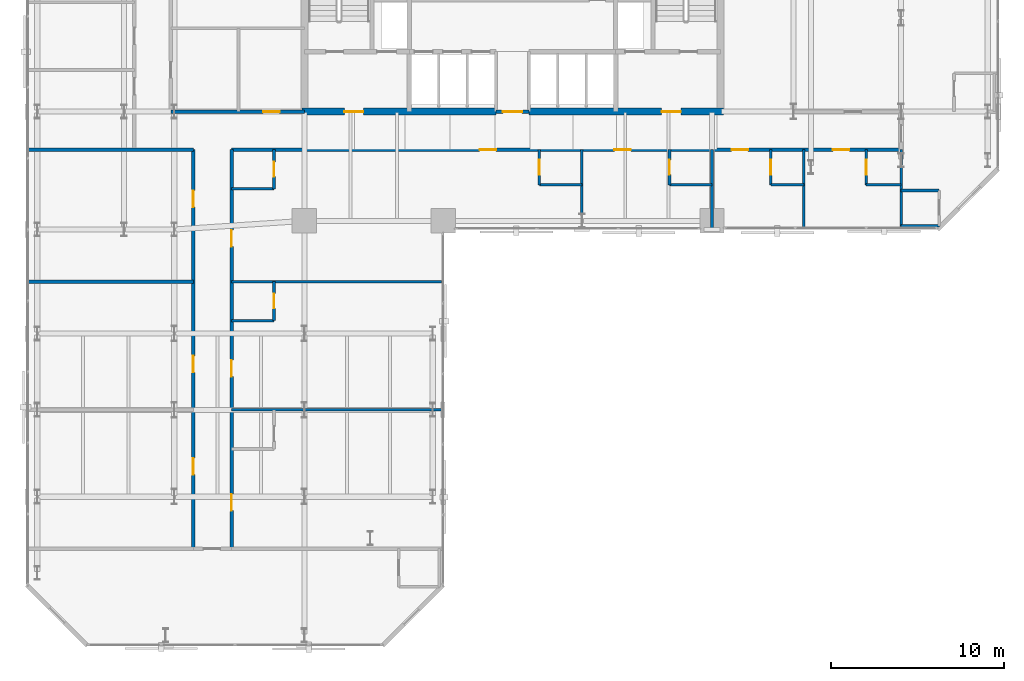
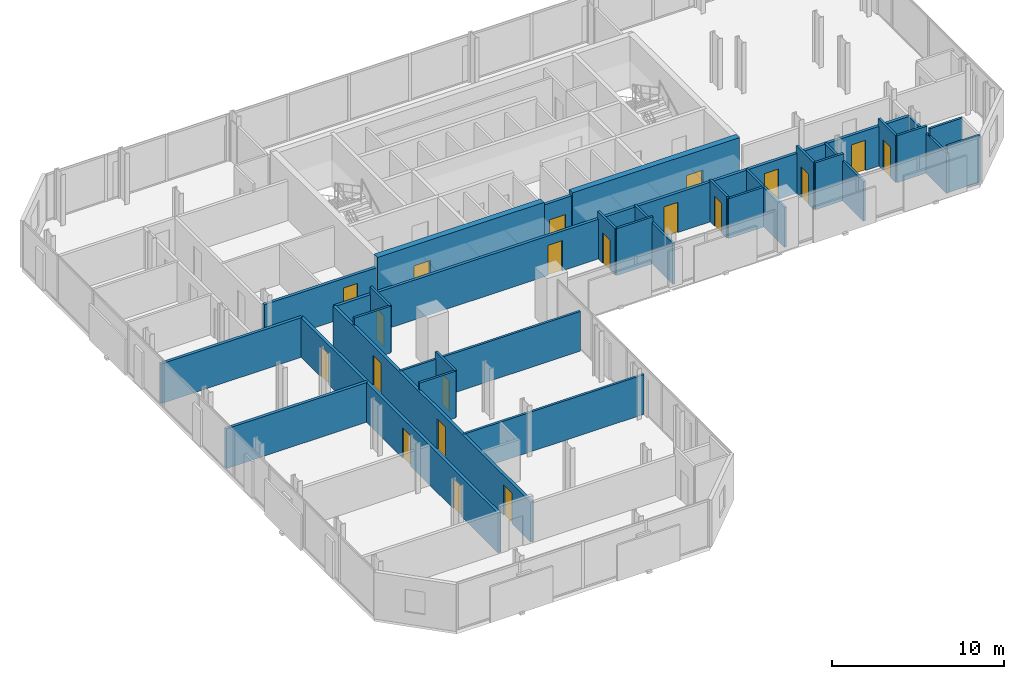
# One storey, part 28 of 32: 29 walls, 20 doors, 20 openings.
"""IFC4 building model written with IfcOpenShell, lengths in metres."""

from ifc_helpers import new_model, si_unit, direction, frame, frame_2d, origin, place, context, subcontext, project, spatial, rectangle, extrude, material, layer, layer_set, type_object, element, fill, save


model = new_model("IFC4")

# Units and contexts
model_context = context("Model", 3, precision=1e-05, world=origin(), true_north=direction((0.0, 1.0)))
body_context = subcontext(model_context, "Body", "Model", "MODEL_VIEW")
ifc_project = project(units=[si_unit("LENGTHUNIT", "METRE"), si_unit("AREAUNIT", "SQUARE_METRE"), si_unit("VOLUMEUNIT", "CUBIC_METRE"), si_unit("PLANEANGLEUNIT", "RADIAN"), si_unit("MASSUNIT", "GRAM", prefix="KILO")], contexts=[model_context])

# Site, building, storey
site_placement = place(None, origin())
site = spatial("IfcSite", under=ifc_project, at=site_placement, CompositionType="ELEMENT")
building_placement = place(site_placement, origin())
building = spatial("IfcBuilding", under=site, at=building_placement, Name="Catumbela Crestline Tower", CompositionType="ELEMENT")
storey_placement = place(building_placement, frame((0.0, 0.0, 61.8)))
storey = spatial("IfcBuildingStorey", under=building, at=storey_placement, Name="L15", CompositionType="ELEMENT", Elevation=61.8)

# Wall, opening, door
ifc_material_1 = material(Name="Concrete C60/75", Category="concrete")
ifc_layer_1 = layer(ifc_material_1, 0.4, Name="Concrete C60/75")
ifc_layer_set_1 = layer_set([ifc_layer_1], Name="Concrete C60/75")
wall_type_1 = type_object("IfcWallType", Name="CW-400A", PredefinedType="SHEAR", material=ifc_layer_set_1)
wall_1_placement = place(storey_placement, frame((15.85, 30.8, 0.0), z_axis=(0.0, 0.0, 1.0), x_axis=(1.0, 0.0, 0.0)))
wall_1 = element("IfcWall", 1, at=wall_1_placement, inside=storey, type_object=wall_type_1, Name="L15 Structural Core Shear Wall SW", PredefinedType="SHEAR", context=body_context, shape_type="SweptSolid", body=[
    extrude(rectangle(XDim=11.2, YDim=0.4, at=frame_2d((5.6, 0.0))), origin(), (0.0, 0.0, 1.0), 3.6),
])
opening_1_placement = place(wall_1_placement, frame((2.45, 0.0, 0.0)))
opening_1 = element("IfcOpeningElement", 2, at=opening_1_placement, cuts=wall_1, Name="Opening DF9-110", PredefinedType="OPENING", context=body_context, shape_type="SweptSolid", body=[
    extrude(rectangle(XDim=1.1, YDim=2.15, at=frame_2d((0.55, 1.075))), frame((0.0, 0.21, 0.0), z_axis=(0.0, -1.0, 0.0), x_axis=(1.0, 0.0, 0.0)), (0.0, 0.0, 1.0), 0.42),
])
ifc_material_2 = material(Name="Stainless steel EN 1.4401", Category="steel")
door_type_1 = type_object("IfcDoorType", Name="DF9-110", OperationType="NOTDEFINED", PredefinedType="DOOR", material=ifc_material_2)
door_1_placement = place(opening_1_placement, origin())
door_1 = element("IfcDoor", 3, at=door_1_placement, inside=storey, type_object=door_type_1, Name="L15 Interior Door DR-L15-FFW-S", OperationType="SINGLE_SWING_LEFT", OverallHeight=2.15, OverallWidth=1.1, PredefinedType="DOOR", context=body_context, shape_type="SweptSolid", body=[
    extrude(rectangle(XDim=1.1, YDim=2.15, at=frame_2d((0.55, 1.075))), frame((0.0, 0.025, 0.0), z_axis=(0.0, -1.0, 0.0), x_axis=(1.0, 0.0, 0.0)), (0.0, 0.0, 1.0), 0.05),
])
fill(opening_1, door_1)

wall_2_placement = place(storey_placement, frame((28.95, 30.8, 0.0), z_axis=(0.0, 0.0, 1.0), x_axis=(1.0, 0.0, 0.0)))
wall_2 = element("IfcWall", 4, at=wall_2_placement, inside=storey, type_object=wall_type_1, Name="L15 Structural Core Shear Wall SE", PredefinedType="SHEAR", context=body_context, shape_type="SweptSolid", body=[
    extrude(rectangle(XDim=11.2, YDim=0.4, at=frame_2d((5.6, 0.0))), origin(), (0.0, 0.0, 1.0), 3.6),
])
opening_2_placement = place(wall_2_placement, frame((7.65, 0.0, 0.0)))
opening_2 = element("IfcOpeningElement", 5, at=opening_2_placement, cuts=wall_2, Name="Opening DF9-110", PredefinedType="OPENING", context=body_context, shape_type="SweptSolid", body=[
    extrude(rectangle(XDim=1.1, YDim=2.15, at=frame_2d((0.55, 1.075))), frame((0.0, 0.21, 0.0), z_axis=(0.0, -1.0, 0.0), x_axis=(1.0, 0.0, 0.0)), (0.0, 0.0, 1.0), 0.42),
])
door_2_placement = place(opening_2_placement, origin())
door_2 = element("IfcDoor", 6, at=door_2_placement, inside=storey, type_object=door_type_1, Name="L15 Interior Door DR-L15-FFE-S", OperationType="SINGLE_SWING_RIGHT", OverallHeight=2.15, OverallWidth=1.1, PredefinedType="DOOR", context=body_context, shape_type="SweptSolid", body=[
    extrude(rectangle(XDim=1.1, YDim=2.15, at=frame_2d((0.55, 1.075))), frame((0.0, 0.025, 0.0), z_axis=(0.0, -1.0, 0.0), x_axis=(1.0, 0.0, 0.0)), (0.0, 0.0, 1.0), 0.05),
])
fill(opening_2, door_2)

ifc_material_3 = material(Name="Acoustic gypsum and mineral-wool partition")
ifc_layer_2 = layer(ifc_material_3, 0.2, Name="Acoustic gypsum and mineral-wool partition")
ifc_layer_set_2 = layer_set([ifc_layer_2], Name="Acoustic gypsum and mineral-wool partition")
wall_type_2 = type_object("IfcWallType", Name="WC-200", PredefinedType="PARTITIONING", material=ifc_layer_set_2)
wall_3_placement = place(storey_placement, frame((27.05, 30.8, 0.0), z_axis=(0.0, 0.0, 1.0), x_axis=(1.0, 0.0, 0.0)))
wall_3 = element("IfcWall", 7, at=wall_3_placement, inside=storey, type_object=wall_type_2, Name="L15 Interior Partition PW-L15-CLOBS", PredefinedType="PARTITIONING", context=body_context, shape_type="SweptSolid", body=[
    extrude(rectangle(XDim=1.9, YDim=0.2, at=frame_2d((0.95, 0.0))), origin(), (0.0, 0.0, 1.0), 3.33),
])
opening_3_placement = place(wall_3_placement, frame((0.4, 0.0, 0.0)))
opening_3 = element("IfcOpeningElement", 8, at=opening_3_placement, cuts=wall_3, Name="Opening DF9-110", PredefinedType="OPENING", context=body_context, shape_type="SweptSolid", body=[
    extrude(rectangle(XDim=1.1, YDim=2.15, at=frame_2d((0.55, 1.075))), frame((0.0, 0.11, 0.0), z_axis=(0.0, -1.0, 0.0), x_axis=(1.0, 0.0, 0.0)), (0.0, 0.0, 1.0), 0.22),
])
door_3_placement = place(opening_3_placement, origin())
door_3 = element("IfcDoor", 9, at=door_3_placement, inside=storey, type_object=door_type_1, Name="L15 Interior Door DR-L15-CLOBS", OperationType="SINGLE_SWING_LEFT", OverallHeight=2.15, OverallWidth=1.1, PredefinedType="DOOR", context=body_context, shape_type="SweptSolid", body=[
    extrude(rectangle(XDim=1.1, YDim=2.15, at=frame_2d((0.55, 1.075))), frame((0.0, 0.025, 0.0), z_axis=(0.0, -1.0, 0.0), x_axis=(1.0, 0.0, 0.0)), (0.0, 0.0, 1.0), 0.05),
])
fill(opening_3, door_3)

# Wall
wall_4_placement = place(storey_placement, frame((0.1, 28.6, 0.0), z_axis=(0.0, 0.0, 1.0), x_axis=(1.0, 0.0, 0.0)))
element("IfcWall", 10, at=wall_4_placement, inside=storey, type_object=wall_type_2, Name="L15 Interior Partition PW-L15-CWGL-N", PredefinedType="PARTITIONING", context=body_context, shape_type="SweptSolid", body=[
    extrude(rectangle(XDim=9.5, YDim=0.2, at=frame_2d((4.75, 0.0))), origin(), (0.0, 0.0, 1.0), 2.82),
])

# Wall, openings, doors
wall_5_placement = place(storey_placement, frame((11.8, 28.6, 0.0), z_axis=(0.0, 0.0, 1.0), x_axis=(1.0, 0.0, 0.0)))
wall_5 = element("IfcWall", 11, at=wall_5_placement, inside=storey, type_object=wall_type_2, Name="L15 Interior Partition PW-L15-CWGR-N", PredefinedType="PARTITIONING", context=body_context, shape_type="SweptSolid", body=[
    extrude(rectangle(XDim=38.6, YDim=0.2, at=frame_2d((19.3, 0.0))), origin(), (0.0, 0.0, 1.0), 2.82),
])
opening_4_placement = place(wall_5_placement, frame((14.3, 0.0, 0.0)))
opening_4 = element("IfcOpeningElement", 12, at=opening_4_placement, cuts=wall_5, Name="Opening DF6-095", PredefinedType="OPENING", context=body_context, shape_type="SweptSolid", body=[
    extrude(rectangle(XDim=0.95, YDim=2.15, at=frame_2d((0.475, 1.075))), frame((0.0, 0.11, 0.0), z_axis=(0.0, -1.0, 0.0), x_axis=(1.0, 0.0, 0.0)), (0.0, 0.0, 1.0), 0.22),
])
opening_5_placement = place(wall_5_placement, frame((22.075, 0.0, 0.0)))
opening_5 = element("IfcOpeningElement", 13, at=opening_5_placement, cuts=wall_5, Name="Opening DF6-095", PredefinedType="OPENING", context=body_context, shape_type="SweptSolid", body=[
    extrude(rectangle(XDim=0.95, YDim=2.15, at=frame_2d((0.475, 1.075))), frame((0.0, 0.11, 0.0), z_axis=(0.0, -1.0, 0.0), x_axis=(1.0, 0.0, 0.0)), (0.0, 0.0, 1.0), 0.22),
])
opening_6_placement = place(wall_5_placement, frame((28.8289, 0.0, 0.0)))
opening_6 = element("IfcOpeningElement", 14, at=opening_6_placement, cuts=wall_5, Name="Opening DF6-095", PredefinedType="OPENING", context=body_context, shape_type="SweptSolid", body=[
    extrude(rectangle(XDim=0.95, YDim=2.15, at=frame_2d((0.475, 1.075))), frame((0.0, 0.11, 0.0), z_axis=(0.0, -1.0, 0.0), x_axis=(1.0, 0.0, 0.0)), (0.0, 0.0, 1.0), 0.22),
])
opening_7_placement = place(wall_5_placement, frame((34.6691, 0.0, 0.0)))
opening_7 = element("IfcOpeningElement", 15, at=opening_7_placement, cuts=wall_5, Name="Opening DF6-095", PredefinedType="OPENING", context=body_context, shape_type="SweptSolid", body=[
    extrude(rectangle(XDim=0.95, YDim=2.15, at=frame_2d((0.475, 1.075))), frame((0.0, 0.11, 0.0), z_axis=(0.0, -1.0, 0.0), x_axis=(1.0, 0.0, 0.0)), (0.0, 0.0, 1.0), 0.22),
])
ifc_material_4 = material(Name="Aluminium alloy AW-6060-T66", Category="aluminium")
door_type_2 = type_object("IfcDoorType", Name="DF6-095", OperationType="NOTDEFINED", PredefinedType="DOOR", material=ifc_material_4)
door_4_placement = place(opening_4_placement, origin())
door_4 = element("IfcDoor", 16, at=door_4_placement, inside=storey, type_object=door_type_2, Name="L15 Interior Door DR-L15-K1-ENT", OperationType="SINGLE_SWING_LEFT", OverallHeight=2.15, OverallWidth=0.95, PredefinedType="DOOR", context=body_context, shape_type="SweptSolid", body=[
    extrude(rectangle(XDim=0.95, YDim=2.15, at=frame_2d((0.475, 1.075))), frame((0.0, 0.025, 0.0), z_axis=(0.0, -1.0, 0.0), x_axis=(1.0, 0.0, 0.0)), (0.0, 0.0, 1.0), 0.05),
])
fill(opening_4, door_4)
door_5_placement = place(opening_5_placement, origin())
door_5 = element("IfcDoor", 17, at=door_5_placement, inside=storey, type_object=door_type_2, Name="L15 Interior Door DR-L15-K2-ENT", OperationType="SINGLE_SWING_RIGHT", OverallHeight=2.15, OverallWidth=0.95, PredefinedType="DOOR", context=body_context, shape_type="SweptSolid", body=[
    extrude(rectangle(XDim=0.95, YDim=2.15, at=frame_2d((0.475, 1.075))), frame((0.0, 0.025, 0.0), z_axis=(0.0, -1.0, 0.0), x_axis=(1.0, 0.0, 0.0)), (0.0, 0.0, 1.0), 0.05),
])
fill(opening_5, door_5)
door_6_placement = place(opening_6_placement, origin())
door_6 = element("IfcDoor", 18, at=door_6_placement, inside=storey, type_object=door_type_2, Name="L15 Interior Door DR-L15-K3-ENT", OperationType="SINGLE_SWING_LEFT", OverallHeight=2.15, OverallWidth=0.95, PredefinedType="DOOR", context=body_context, shape_type="SweptSolid", body=[
    extrude(rectangle(XDim=0.95, YDim=2.15, at=frame_2d((0.475, 1.075))), frame((0.0, 0.025, 0.0), z_axis=(0.0, -1.0, 0.0), x_axis=(1.0, 0.0, 0.0)), (0.0, 0.0, 1.0), 0.05),
])
fill(opening_6, door_6)
door_7_placement = place(opening_7_placement, origin())
door_7 = element("IfcDoor", 19, at=door_7_placement, inside=storey, type_object=door_type_2, Name="L15 Interior Door DR-L15-K4-ENT", OperationType="SINGLE_SWING_RIGHT", OverallHeight=2.15, OverallWidth=0.95, PredefinedType="DOOR", context=body_context, shape_type="SweptSolid", body=[
    extrude(rectangle(XDim=0.95, YDim=2.15, at=frame_2d((0.475, 1.075))), frame((0.0, 0.025, 0.0), z_axis=(0.0, -1.0, 0.0), x_axis=(1.0, 0.0, 0.0)), (0.0, 0.0, 1.0), 0.05),
])
fill(opening_7, door_7)

# Wall, opening, door
wall_6_placement = place(storey_placement, frame((8.3, 30.8, 0.0), z_axis=(0.0, 0.0, 1.0), x_axis=(1.0, 0.0, 0.0)))
wall_6 = element("IfcWall", 20, at=wall_6_placement, inside=storey, type_object=wall_type_2, Name="L15 Interior Partition PW-L15-HK-S", PredefinedType="PARTITIONING", context=body_context, shape_type="SweptSolid", body=[
    extrude(rectangle(XDim=7.7, YDim=0.2, at=frame_2d((3.85, 0.0))), origin(), (0.0, 0.0, 1.0), 2.82),
])
opening_8_placement = place(wall_6_placement, frame((5.325, 0.0, 0.0)))
opening_8 = element("IfcOpeningElement", 21, at=opening_8_placement, cuts=wall_6, Name="Opening DF6-095", PredefinedType="OPENING", context=body_context, shape_type="SweptSolid", body=[
    extrude(rectangle(XDim=0.95, YDim=2.15, at=frame_2d((0.475, 1.075))), frame((0.0, 0.11, 0.0), z_axis=(0.0, -1.0, 0.0), x_axis=(1.0, 0.0, 0.0)), (0.0, 0.0, 1.0), 0.22),
])
door_8_placement = place(opening_8_placement, origin())
door_8 = element("IfcDoor", 22, at=door_8_placement, inside=storey, type_object=door_type_2, Name="L15 Interior Door DR-L15-HKP", OperationType="SINGLE_SWING_LEFT", OverallHeight=2.15, OverallWidth=0.95, PredefinedType="DOOR", context=body_context, shape_type="SweptSolid", body=[
    extrude(rectangle(XDim=0.95, YDim=2.15, at=frame_2d((0.475, 1.075))), frame((0.0, 0.025, 0.0), z_axis=(0.0, -1.0, 0.0), x_axis=(1.0, 0.0, 0.0)), (0.0, 0.0, 1.0), 0.05),
])
fill(opening_8, door_8)

# Wall, openings, doors
wall_7_placement = place(storey_placement, frame((9.6, 5.6, 0.0), z_axis=(0.0, 0.0, 1.0), x_axis=(0.0, 1.0, 0.0)))
wall_7 = element("IfcWall", 23, at=wall_7_placement, inside=storey, type_object=wall_type_2, Name="L15 Interior Partition PW-L15-WL1-ENT", PredefinedType="PARTITIONING", context=body_context, shape_type="SweptSolid", body=[
    extrude(rectangle(XDim=23.0, YDim=0.2, at=frame_2d((11.5, 0.0))), origin(), (0.0, 0.0, 1.0), 2.82),
])
opening_9_placement = place(wall_7_placement, frame((4.2703, 0.0, 0.0)))
opening_9 = element("IfcOpeningElement", 24, at=opening_9_placement, cuts=wall_7, Name="Opening DF6-095", PredefinedType="OPENING", context=body_context, shape_type="SweptSolid", body=[
    extrude(rectangle(XDim=0.95, YDim=2.15, at=frame_2d((0.475, 1.075))), frame((0.0, 0.11, 0.0), z_axis=(0.0, -1.0, 0.0), x_axis=(1.0, 0.0, 0.0)), (0.0, 0.0, 1.0), 0.22),
])
opening_10_placement = place(wall_7_placement, frame((10.1698, 0.0, 0.0)))
opening_10 = element("IfcOpeningElement", 25, at=opening_10_placement, cuts=wall_7, Name="Opening DF6-095", PredefinedType="OPENING", context=body_context, shape_type="SweptSolid", body=[
    extrude(rectangle(XDim=0.95, YDim=2.15, at=frame_2d((0.475, 1.075))), frame((0.0, 0.11, 0.0), z_axis=(0.0, -1.0, 0.0), x_axis=(1.0, 0.0, 0.0)), (0.0, 0.0, 1.0), 0.22),
])
opening_11_placement = place(wall_7_placement, frame((19.6931, 0.0, 0.0)))
opening_11 = element("IfcOpeningElement", 26, at=opening_11_placement, cuts=wall_7, Name="Opening DF6-095", PredefinedType="OPENING", context=body_context, shape_type="SweptSolid", body=[
    extrude(rectangle(XDim=0.95, YDim=2.15, at=frame_2d((0.475, 1.075))), frame((0.0, 0.11, 0.0), z_axis=(0.0, -1.0, 0.0), x_axis=(1.0, 0.0, 0.0)), (0.0, 0.0, 1.0), 0.22),
])
door_9_placement = place(opening_9_placement, origin())
door_9 = element("IfcDoor", 27, at=door_9_placement, inside=storey, type_object=door_type_2, Name="L15 Interior Door DR-L15-WL1-ENT", OperationType="SINGLE_SWING_RIGHT", OverallHeight=2.15, OverallWidth=0.95, PredefinedType="DOOR", context=body_context, shape_type="SweptSolid", body=[
    extrude(rectangle(XDim=0.95, YDim=2.15, at=frame_2d((0.475, 1.075))), frame((0.0, 0.025, 0.0), z_axis=(0.0, -1.0, 0.0), x_axis=(1.0, 0.0, 0.0)), (0.0, 0.0, 1.0), 0.05),
])
fill(opening_9, door_9)
door_10_placement = place(opening_10_placement, origin())
door_10 = element("IfcDoor", 28, at=door_10_placement, inside=storey, type_object=door_type_2, Name="L15 Interior Door DR-L15-WL2-ENT", OperationType="SINGLE_SWING_LEFT", OverallHeight=2.15, OverallWidth=0.95, PredefinedType="DOOR", context=body_context, shape_type="SweptSolid", body=[
    extrude(rectangle(XDim=0.95, YDim=2.15, at=frame_2d((0.475, 1.075))), frame((0.0, 0.025, 0.0), z_axis=(0.0, -1.0, 0.0), x_axis=(1.0, 0.0, 0.0)), (0.0, 0.0, 1.0), 0.05),
])
fill(opening_10, door_10)
door_11_placement = place(opening_11_placement, origin())
door_11 = element("IfcDoor", 29, at=door_11_placement, inside=storey, type_object=door_type_2, Name="L15 Interior Door DR-L15-WL3-ENT", OperationType="SINGLE_SWING_RIGHT", OverallHeight=2.15, OverallWidth=0.95, PredefinedType="DOOR", context=body_context, shape_type="SweptSolid", body=[
    extrude(rectangle(XDim=0.95, YDim=2.15, at=frame_2d((0.475, 1.075))), frame((0.0, 0.025, 0.0), z_axis=(0.0, -1.0, 0.0), x_axis=(1.0, 0.0, 0.0)), (0.0, 0.0, 1.0), 0.05),
])
fill(opening_11, door_11)

wall_8_placement = place(storey_placement, frame((11.8, 5.6, 0.0), z_axis=(0.0, 0.0, 1.0), x_axis=(0.0, 1.0, 0.0)))
wall_8 = element("IfcWall", 30, at=wall_8_placement, inside=storey, type_object=wall_type_2, Name="L15 Interior Partition PW-L15-WR1-ENT", PredefinedType="PARTITIONING", context=body_context, shape_type="SweptSolid", body=[
    extrude(rectangle(XDim=23.0, YDim=0.2, at=frame_2d((11.5, 0.0))), origin(), (0.0, 0.0, 1.0), 2.82),
])
opening_12_placement = place(wall_8_placement, frame((2.19, 0.0, 0.0)))
opening_12 = element("IfcOpeningElement", 31, at=opening_12_placement, cuts=wall_8, Name="Opening DF6-095", PredefinedType="OPENING", context=body_context, shape_type="SweptSolid", body=[
    extrude(rectangle(XDim=0.95, YDim=2.15, at=frame_2d((0.475, 1.075))), frame((0.0, 0.11, 0.0), z_axis=(0.0, -1.0, 0.0), x_axis=(1.0, 0.0, 0.0)), (0.0, 0.0, 1.0), 0.22),
])
opening_13_placement = place(wall_8_placement, frame((9.92, 0.0, 0.0)))
opening_13 = element("IfcOpeningElement", 32, at=opening_13_placement, cuts=wall_8, Name="Opening DF6-095", PredefinedType="OPENING", context=body_context, shape_type="SweptSolid", body=[
    extrude(rectangle(XDim=0.95, YDim=2.15, at=frame_2d((0.475, 1.075))), frame((0.0, 0.11, 0.0), z_axis=(0.0, -1.0, 0.0), x_axis=(1.0, 0.0, 0.0)), (0.0, 0.0, 1.0), 0.22),
])
opening_14_placement = place(wall_8_placement, frame((17.41, 0.0, 0.0)))
opening_14 = element("IfcOpeningElement", 33, at=opening_14_placement, cuts=wall_8, Name="Opening DF6-095", PredefinedType="OPENING", context=body_context, shape_type="SweptSolid", body=[
    extrude(rectangle(XDim=0.95, YDim=2.15, at=frame_2d((0.475, 1.075))), frame((0.0, 0.11, 0.0), z_axis=(0.0, -1.0, 0.0), x_axis=(1.0, 0.0, 0.0)), (0.0, 0.0, 1.0), 0.22),
])
door_12_placement = place(opening_12_placement, origin())
door_12 = element("IfcDoor", 34, at=door_12_placement, inside=storey, type_object=door_type_2, Name="L15 Interior Door DR-L15-WR1-ENT", OperationType="SINGLE_SWING_LEFT", OverallHeight=2.15, OverallWidth=0.95, PredefinedType="DOOR", context=body_context, shape_type="SweptSolid", body=[
    extrude(rectangle(XDim=0.95, YDim=2.15, at=frame_2d((0.475, 1.075))), frame((0.0, 0.025, 0.0), z_axis=(0.0, -1.0, 0.0), x_axis=(1.0, 0.0, 0.0)), (0.0, 0.0, 1.0), 0.05),
])
fill(opening_12, door_12)
door_13_placement = place(opening_13_placement, origin())
door_13 = element("IfcDoor", 35, at=door_13_placement, inside=storey, type_object=door_type_2, Name="L15 Interior Door DR-L15-WR2-ENT", OperationType="SINGLE_SWING_RIGHT", OverallHeight=2.15, OverallWidth=0.95, PredefinedType="DOOR", context=body_context, shape_type="SweptSolid", body=[
    extrude(rectangle(XDim=0.95, YDim=2.15, at=frame_2d((0.475, 1.075))), frame((0.0, 0.025, 0.0), z_axis=(0.0, -1.0, 0.0), x_axis=(1.0, 0.0, 0.0)), (0.0, 0.0, 1.0), 0.05),
])
fill(opening_13, door_13)
door_14_placement = place(opening_14_placement, origin())
door_14 = element("IfcDoor", 36, at=door_14_placement, inside=storey, type_object=door_type_2, Name="L15 Interior Door DR-L15-WR3-ENT", OperationType="SINGLE_SWING_LEFT", OverallHeight=2.15, OverallWidth=0.95, PredefinedType="DOOR", context=body_context, shape_type="SweptSolid", body=[
    extrude(rectangle(XDim=0.95, YDim=2.15, at=frame_2d((0.475, 1.075))), frame((0.0, 0.025, 0.0), z_axis=(0.0, -1.0, 0.0), x_axis=(1.0, 0.0, 0.0)), (0.0, 0.0, 1.0), 0.05),
])
fill(opening_14, door_14)

# Wall
ifc_layer_3 = layer(ifc_material_3, 0.15, Name="Acoustic gypsum and mineral-wool partition")
ifc_layer_set_3 = layer_set([ifc_layer_3], Name="Acoustic gypsum and mineral-wool partition")
wall_type_3 = type_object("IfcWallType", Name="WP-150", PredefinedType="PARTITIONING", material=ifc_layer_set_3)
wall_9_placement = place(storey_placement, frame((29.55, 26.576, 0.0), z_axis=(0.0, 0.0, 1.0), x_axis=(1.0, 0.0, 0.0)))
element("IfcWall", 37, at=wall_9_placement, inside=storey, type_object=wall_type_3, Name="L15 Interior Partition PW-L15-K1-BHW", PredefinedType="PARTITIONING", context=body_context, shape_type="SweptSolid", body=[
    extrude(rectangle(XDim=2.45, YDim=0.15, at=frame_2d((1.225, 0.0))), origin(), (0.0, 0.0, 1.0), 3.33),
])

# Wall, opening, door
wall_10_placement = place(storey_placement, frame((29.55, 26.576, 0.0), z_axis=(0.0, 0.0, 1.0), x_axis=(0.0, 1.0, 0.0)))
wall_10 = element("IfcWall", 38, at=wall_10_placement, inside=storey, type_object=wall_type_3, Name="L15 Interior Partition PW-L15-K1-BWW", PredefinedType="PARTITIONING", context=body_context, shape_type="SweptSolid", body=[
    extrude(rectangle(XDim=2.024, YDim=0.15, at=frame_2d((1.012, 0.0))), origin(), (0.0, 0.0, 1.0), 3.33),
])
opening_15_placement = place(wall_10_placement, frame((0.587, 0.0, 0.0)))
opening_15 = element("IfcOpeningElement", 39, at=opening_15_placement, cuts=wall_10, Name="Opening DI-085", PredefinedType="OPENING", context=body_context, shape_type="SweptSolid", body=[
    extrude(rectangle(XDim=0.85, YDim=2.15, at=frame_2d((0.425, 1.075))), frame((0.0, 0.085, 0.0), z_axis=(0.0, -1.0, 0.0), x_axis=(1.0, 0.0, 0.0)), (0.0, 0.0, 1.0), 0.17),
])
door_type_3 = type_object("IfcDoorType", Name="DI-085", OperationType="NOTDEFINED", PredefinedType="DOOR", material=ifc_material_4)
door_15_placement = place(opening_15_placement, origin())
door_15 = element("IfcDoor", 40, at=door_15_placement, inside=storey, type_object=door_type_3, Name="L15 Interior Door DR-L15-K1-BTH", OperationType="SINGLE_SWING_RIGHT", OverallHeight=2.15, OverallWidth=0.85, PredefinedType="DOOR", context=body_context, shape_type="SweptSolid", body=[
    extrude(rectangle(XDim=0.85, YDim=2.15, at=frame_2d((0.425, 1.075))), frame((0.0, 0.025, 0.0), z_axis=(0.0, -1.0, 0.0), x_axis=(1.0, 0.0, 0.0)), (0.0, 0.0, 1.0), 0.05),
])
fill(opening_15, door_15)

# Walls
wall_11_placement = place(storey_placement, frame((32.0, 28.6, 0.0), z_axis=(0.0, 0.0, 1.0), x_axis=(0.0, -1.0, 0.0)))
element("IfcWall", 41, at=wall_11_placement, inside=storey, type_object=wall_type_3, Name="L15 Interior Partition PW-L15-K1-BCL-2", PredefinedType="PARTITIONING", context=body_context, shape_type="SweptSolid", body=[
    extrude(rectangle(XDim=4.5, YDim=0.15, at=frame_2d((2.25, 0.0))), origin(), (0.0, 0.0, 1.0), 2.93),
])
wall_12_placement = place(storey_placement, frame((37.05, 26.576, 0.0), z_axis=(0.0, 0.0, 1.0), x_axis=(1.0, 0.0, 0.0)))
element("IfcWall", 42, at=wall_12_placement, inside=storey, type_object=wall_type_3, Name="L15 Interior Partition PW-L15-K2-BHW", PredefinedType="PARTITIONING", context=body_context, shape_type="SweptSolid", body=[
    extrude(rectangle(XDim=2.45, YDim=0.15, at=frame_2d((1.225, 0.0))), origin(), (0.0, 0.0, 1.0), 2.82),
])

# Wall, opening, door
wall_13_placement = place(storey_placement, frame((37.05, 26.576, 0.0), z_axis=(0.0, 0.0, 1.0), x_axis=(0.0, 1.0, 0.0)))
wall_13 = element("IfcWall", 43, at=wall_13_placement, inside=storey, type_object=wall_type_3, Name="L15 Interior Partition PW-L15-K2-BWW", PredefinedType="PARTITIONING", context=body_context, shape_type="SweptSolid", body=[
    extrude(rectangle(XDim=2.024, YDim=0.15, at=frame_2d((1.012, 0.0))), origin(), (0.0, 0.0, 1.0), 2.96),
])
opening_16_placement = place(wall_13_placement, frame((0.587, 0.0, 0.0)))
opening_16 = element("IfcOpeningElement", 44, at=opening_16_placement, cuts=wall_13, Name="Opening DI-085", PredefinedType="OPENING", context=body_context, shape_type="SweptSolid", body=[
    extrude(rectangle(XDim=0.85, YDim=2.15, at=frame_2d((0.425, 1.075))), frame((0.0, 0.085, 0.0), z_axis=(0.0, -1.0, 0.0), x_axis=(1.0, 0.0, 0.0)), (0.0, 0.0, 1.0), 0.17),
])
door_16_placement = place(opening_16_placement, origin())
door_16 = element("IfcDoor", 45, at=door_16_placement, inside=storey, type_object=door_type_3, Name="L15 Interior Door DR-L15-K2-BTH", OperationType="SINGLE_SWING_RIGHT", OverallHeight=2.15, OverallWidth=0.85, PredefinedType="DOOR", context=body_context, shape_type="SweptSolid", body=[
    extrude(rectangle(XDim=0.85, YDim=2.15, at=frame_2d((0.425, 1.075))), frame((0.0, 0.025, 0.0), z_axis=(0.0, -1.0, 0.0), x_axis=(1.0, 0.0, 0.0)), (0.0, 0.0, 1.0), 0.05),
])
fill(opening_16, door_16)

# Walls
wall_14_placement = place(storey_placement, frame((39.5, 28.6, 0.0), z_axis=(0.0, 0.0, 1.0), x_axis=(0.0, -1.0, 0.0)))
element("IfcWall", 46, at=wall_14_placement, inside=storey, type_object=wall_type_3, Name="L15 Interior Partition PW-L15-K2-BCL-2", PredefinedType="PARTITIONING", context=body_context, shape_type="SweptSolid", body=[
    extrude(rectangle(XDim=4.5, YDim=0.15, at=frame_2d((2.25, 0.0))), origin(), (0.0, 0.0, 1.0), 2.82),
])
wall_15_placement = place(storey_placement, frame((42.892, 26.576, 0.0), z_axis=(0.0, 0.0, 1.0), x_axis=(1.0, 0.0, 0.0)))
element("IfcWall", 47, at=wall_15_placement, inside=storey, type_object=wall_type_3, Name="L15 Interior Partition PW-L15-K3-BHW", PredefinedType="PARTITIONING", context=body_context, shape_type="SweptSolid", body=[
    extrude(rectangle(XDim=1.908, YDim=0.15, at=frame_2d((0.954, 0.0))), origin(), (0.0, 0.0, 1.0), 3.33),
])

# Wall, opening, door
wall_16_placement = place(storey_placement, frame((42.892, 26.576, 0.0), z_axis=(0.0, 0.0, 1.0), x_axis=(0.0, 1.0, 0.0)))
wall_16 = element("IfcWall", 48, at=wall_16_placement, inside=storey, type_object=wall_type_3, Name="L15 Interior Partition PW-L15-K3-BWW", PredefinedType="PARTITIONING", context=body_context, shape_type="SweptSolid", body=[
    extrude(rectangle(XDim=2.024, YDim=0.15, at=frame_2d((1.012, 0.0))), origin(), (0.0, 0.0, 1.0), 3.33),
])
opening_17_placement = place(wall_16_placement, frame((0.587, 0.0, 0.0)))
opening_17 = element("IfcOpeningElement", 49, at=opening_17_placement, cuts=wall_16, Name="Opening DI-085", PredefinedType="OPENING", context=body_context, shape_type="SweptSolid", body=[
    extrude(rectangle(XDim=0.85, YDim=2.15, at=frame_2d((0.425, 1.075))), frame((0.0, 0.085, 0.0), z_axis=(0.0, -1.0, 0.0), x_axis=(1.0, 0.0, 0.0)), (0.0, 0.0, 1.0), 0.17),
])
door_17_placement = place(opening_17_placement, origin())
door_17 = element("IfcDoor", 50, at=door_17_placement, inside=storey, type_object=door_type_3, Name="L15 Interior Door DR-L15-K3-BTH", OperationType="SINGLE_SWING_RIGHT", OverallHeight=2.15, OverallWidth=0.85, PredefinedType="DOOR", context=body_context, shape_type="SweptSolid", body=[
    extrude(rectangle(XDim=0.85, YDim=2.15, at=frame_2d((0.425, 1.075))), frame((0.0, 0.025, 0.0), z_axis=(0.0, -1.0, 0.0), x_axis=(1.0, 0.0, 0.0)), (0.0, 0.0, 1.0), 0.05),
])
fill(opening_17, door_17)

# Walls
wall_17_placement = place(storey_placement, frame((44.8, 28.6, 0.0), z_axis=(0.0, 0.0, 1.0), x_axis=(0.0, -1.0, 0.0)))
element("IfcWall", 51, at=wall_17_placement, inside=storey, type_object=wall_type_3, Name="L15 Interior Partition PW-L15-K3-BCL-2", PredefinedType="PARTITIONING", context=body_context, shape_type="SweptSolid", body=[
    extrude(rectangle(XDim=4.5, YDim=0.15, at=frame_2d((2.25, 0.0))), origin(), (0.0, 0.0, 1.0), 2.82),
])
wall_18_placement = place(storey_placement, frame((48.384, 26.576, 0.0), z_axis=(0.0, 0.0, 1.0), x_axis=(1.0, 0.0, 0.0)))
element("IfcWall", 52, at=wall_18_placement, inside=storey, type_object=wall_type_3, Name="L15 Interior Partition PW-L15-K4-BHW", PredefinedType="PARTITIONING", context=body_context, shape_type="SweptSolid", body=[
    extrude(rectangle(XDim=2.016, YDim=0.15, at=frame_2d((1.008, 0.0))), origin(), (0.0, 0.0, 1.0), 3.33),
])

# Wall, opening, door
wall_19_placement = place(storey_placement, frame((48.384, 26.576, 0.0), z_axis=(0.0, 0.0, 1.0), x_axis=(0.0, 1.0, 0.0)))
wall_19 = element("IfcWall", 53, at=wall_19_placement, inside=storey, type_object=wall_type_3, Name="L15 Interior Partition PW-L15-K4-BWW", PredefinedType="PARTITIONING", context=body_context, shape_type="SweptSolid", body=[
    extrude(rectangle(XDim=2.024, YDim=0.15, at=frame_2d((1.012, 0.0))), origin(), (0.0, 0.0, 1.0), 3.33),
])
opening_18_placement = place(wall_19_placement, frame((0.587, 0.0, 0.0)))
opening_18 = element("IfcOpeningElement", 54, at=opening_18_placement, cuts=wall_19, Name="Opening DI-085", PredefinedType="OPENING", context=body_context, shape_type="SweptSolid", body=[
    extrude(rectangle(XDim=0.85, YDim=2.15, at=frame_2d((0.425, 1.075))), frame((0.0, 0.085, 0.0), z_axis=(0.0, -1.0, 0.0), x_axis=(1.0, 0.0, 0.0)), (0.0, 0.0, 1.0), 0.17),
])
door_18_placement = place(opening_18_placement, origin())
door_18 = element("IfcDoor", 55, at=door_18_placement, inside=storey, type_object=door_type_3, Name="L15 Interior Door DR-L15-K4-BTH", OperationType="SINGLE_SWING_RIGHT", OverallHeight=2.15, OverallWidth=0.85, PredefinedType="DOOR", context=body_context, shape_type="SweptSolid", body=[
    extrude(rectangle(XDim=0.85, YDim=2.15, at=frame_2d((0.425, 1.075))), frame((0.0, 0.025, 0.0), z_axis=(0.0, -1.0, 0.0), x_axis=(1.0, 0.0, 0.0)), (0.0, 0.0, 1.0), 0.05),
])
fill(opening_18, door_18)

# Walls
wall_20_placement = place(storey_placement, frame((50.4, 28.6, 0.0), z_axis=(0.0, 0.0, 1.0), x_axis=(0.0, -1.0, 0.0)))
element("IfcWall", 56, at=wall_20_placement, inside=storey, type_object=wall_type_3, Name="L15 Interior Partition PW-L15-K4-BCL-2", PredefinedType="PARTITIONING", context=body_context, shape_type="SweptSolid", body=[
    extrude(rectangle(XDim=4.5, YDim=0.15, at=frame_2d((2.25, 0.0))), origin(), (0.0, 0.0, 1.0), 2.82),
])
wall_21_placement = place(storey_placement, frame((50.4, 26.25, 0.0), z_axis=(0.0, 0.0, 1.0), x_axis=(1.0, 0.0, 0.0)))
element("IfcWall", 57, at=wall_21_placement, inside=storey, type_object=wall_type_3, Name="L15 Interior Partition PW-L15-NESE-BNW", PredefinedType="PARTITIONING", context=body_context, shape_type="SweptSolid", body=[
    extrude(rectangle(XDim=2.2, YDim=0.15, at=frame_2d((1.1, 0.0))), origin(), (0.0, 0.0, 1.0), 3.33),
])
wall_22_placement = place(storey_placement, frame((52.62, 24.22, 0.0), z_axis=(0.0, 0.0, 1.0), x_axis=(-1.0, 0.0, 0.0)))
element("IfcWall", 58, at=wall_22_placement, inside=storey, type_object=wall_type_3, Name="L15 Interior Partition PW-L15-NESE-BCL-3", PredefinedType="PARTITIONING", context=body_context, shape_type="SweptSolid", body=[
    extrude(rectangle(XDim=2.22, YDim=0.15, at=frame_2d((1.11, 0.0))), origin(), (0.0, 0.0, 1.0), 3.33),
])
wall_23_placement = place(storey_placement, frame((11.8, 13.6, 0.0), z_axis=(0.0, 0.0, 1.0), x_axis=(1.0, 0.0, 0.0)))
element("IfcWall", 59, at=wall_23_placement, inside=storey, type_object=wall_type_3, Name="L15 Interior Partition PW-L15-WR1-BCL-1", PredefinedType="PARTITIONING", context=body_context, shape_type="SweptSolid", body=[
    extrude(rectangle(XDim=12.1, YDim=0.15, at=frame_2d((6.05, 0.0))), origin(), (0.0, 0.0, 1.0), 2.82),
])
wall_24_placement = place(storey_placement, frame((11.8, 18.75, 0.0), z_axis=(0.0, 0.0, 1.0), x_axis=(1.0, 0.0, 0.0)))
element("IfcWall", 60, at=wall_24_placement, inside=storey, type_object=wall_type_3, Name="L15 Interior Partition PW-L15-WR2-BSW", PredefinedType="PARTITIONING", context=body_context, shape_type="SweptSolid", body=[
    extrude(rectangle(XDim=2.45, YDim=0.15, at=frame_2d((1.225, 0.0))), origin(), (0.0, 0.0, 1.0), 3.33),
])

# Wall, opening, door
wall_25_placement = place(storey_placement, frame((14.25, 18.75, 0.0), z_axis=(0.0, 0.0, 1.0), x_axis=(0.0, 1.0, 0.0)))
wall_25 = element("IfcWall", 61, at=wall_25_placement, inside=storey, type_object=wall_type_3, Name="L15 Interior Partition PW-L15-WR2-BEW", PredefinedType="PARTITIONING", context=body_context, shape_type="SweptSolid", body=[
    extrude(rectangle(XDim=2.25, YDim=0.15, at=frame_2d((1.125, 0.0))), origin(), (0.0, 0.0, 1.0), 3.33),
])
opening_19_placement = place(wall_25_placement, frame((0.7, 0.0, 0.0)))
opening_19 = element("IfcOpeningElement", 62, at=opening_19_placement, cuts=wall_25, Name="Opening DI-085", PredefinedType="OPENING", context=body_context, shape_type="SweptSolid", body=[
    extrude(rectangle(XDim=0.85, YDim=2.15, at=frame_2d((0.425, 1.075))), frame((0.0, 0.085, 0.0), z_axis=(0.0, -1.0, 0.0), x_axis=(1.0, 0.0, 0.0)), (0.0, 0.0, 1.0), 0.17),
])
door_19_placement = place(opening_19_placement, origin())
door_19 = element("IfcDoor", 63, at=door_19_placement, inside=storey, type_object=door_type_3, Name="L15 Interior Door DR-L15-WR2-BTH", OperationType="SINGLE_SWING_LEFT", OverallHeight=2.15, OverallWidth=0.85, PredefinedType="DOOR", context=body_context, shape_type="SweptSolid", body=[
    extrude(rectangle(XDim=0.85, YDim=2.15, at=frame_2d((0.425, 1.075))), frame((0.0, 0.025, 0.0), z_axis=(0.0, -1.0, 0.0), x_axis=(1.0, 0.0, 0.0)), (0.0, 0.0, 1.0), 0.05),
])
fill(opening_19, door_19)

# Walls
wall_26_placement = place(storey_placement, frame((11.8, 21.0, 0.0), z_axis=(0.0, 0.0, 1.0), x_axis=(1.0, 0.0, 0.0)))
element("IfcWall", 64, at=wall_26_placement, inside=storey, type_object=wall_type_3, Name="L15 Interior Partition PW-L15-WR2-BCL-1", PredefinedType="PARTITIONING", context=body_context, shape_type="SweptSolid", body=[
    extrude(rectangle(XDim=12.1, YDim=0.15, at=frame_2d((6.05, 0.0))), origin(), (0.0, 0.0, 1.0), 2.82),
])
wall_27_placement = place(storey_placement, frame((11.8, 26.35, 0.0), z_axis=(0.0, 0.0, 1.0), x_axis=(1.0, 0.0, 0.0)))
element("IfcWall", 65, at=wall_27_placement, inside=storey, type_object=wall_type_3, Name="L15 Interior Partition PW-L15-WR3-BSW", PredefinedType="PARTITIONING", context=body_context, shape_type="SweptSolid", body=[
    extrude(rectangle(XDim=2.45, YDim=0.15, at=frame_2d((1.225, 0.0))), origin(), (0.0, 0.0, 1.0), 3.33),
])

# Wall, opening, door
wall_28_placement = place(storey_placement, frame((14.25, 26.35, 0.0), z_axis=(0.0, 0.0, 1.0), x_axis=(0.0, 1.0, 0.0)))
wall_28 = element("IfcWall", 66, at=wall_28_placement, inside=storey, type_object=wall_type_3, Name="L15 Interior Partition PW-L15-WR3-BEW", PredefinedType="PARTITIONING", context=body_context, shape_type="SweptSolid", body=[
    extrude(rectangle(XDim=2.25, YDim=0.15, at=frame_2d((1.125, 0.0))), origin(), (0.0, 0.0, 1.0), 3.33),
])
opening_20_placement = place(wall_28_placement, frame((0.7, 0.0, 0.0)))
opening_20 = element("IfcOpeningElement", 67, at=opening_20_placement, cuts=wall_28, Name="Opening DI-085", PredefinedType="OPENING", context=body_context, shape_type="SweptSolid", body=[
    extrude(rectangle(XDim=0.85, YDim=2.15, at=frame_2d((0.425, 1.075))), frame((0.0, 0.085, 0.0), z_axis=(0.0, -1.0, 0.0), x_axis=(1.0, 0.0, 0.0)), (0.0, 0.0, 1.0), 0.17),
])
door_20_placement = place(opening_20_placement, origin())
door_20 = element("IfcDoor", 68, at=door_20_placement, inside=storey, type_object=door_type_3, Name="L15 Interior Door DR-L15-WR3-BTH", OperationType="SINGLE_SWING_LEFT", OverallHeight=2.15, OverallWidth=0.85, PredefinedType="DOOR", context=body_context, shape_type="SweptSolid", body=[
    extrude(rectangle(XDim=0.85, YDim=2.15, at=frame_2d((0.425, 1.075))), frame((0.0, 0.025, 0.0), z_axis=(0.0, -1.0, 0.0), x_axis=(1.0, 0.0, 0.0)), (0.0, 0.0, 1.0), 0.05),
])
fill(opening_20, door_20)

# Wall
ifc_layer_4 = layer(ifc_material_3, 0.2, Name="Acoustic gypsum and mineral-wool partition")
ifc_layer_set_4 = layer_set([ifc_layer_4], Name="Acoustic gypsum and mineral-wool partition")
wall_type_4 = type_object("IfcWallType", Name="WY-200", PredefinedType="PARTITIONING", material=ifc_layer_set_4)
wall_29_placement = place(storey_placement, frame((0.1, 21.0, 0.0), z_axis=(0.0, 0.0, 1.0), x_axis=(1.0, 0.0, 0.0)))
element("IfcWall", 69, at=wall_29_placement, inside=storey, type_object=wall_type_4, Name="L15 Interior Partition PW-L15-WGLP-3", PredefinedType="PARTITIONING", context=body_context, shape_type="SweptSolid", body=[
    extrude(rectangle(XDim=9.5, YDim=0.2, at=frame_2d((4.75, 0.0))), origin(), (0.0, 0.0, 1.0), 2.82),
])

save(model, "model.ifc")
